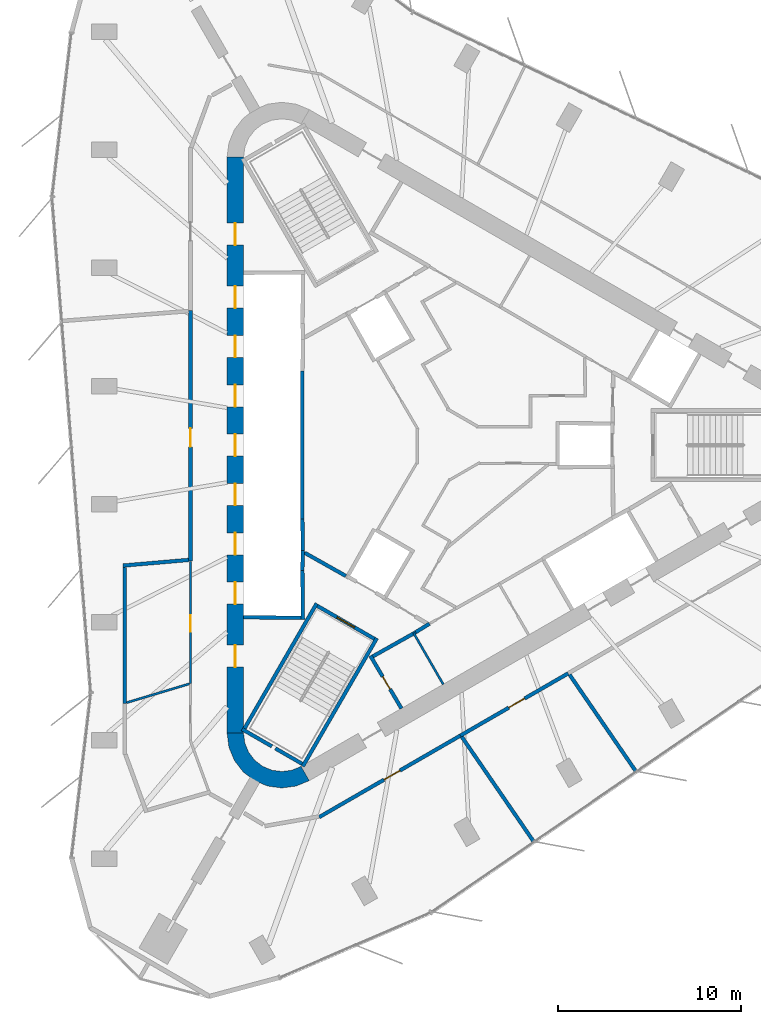
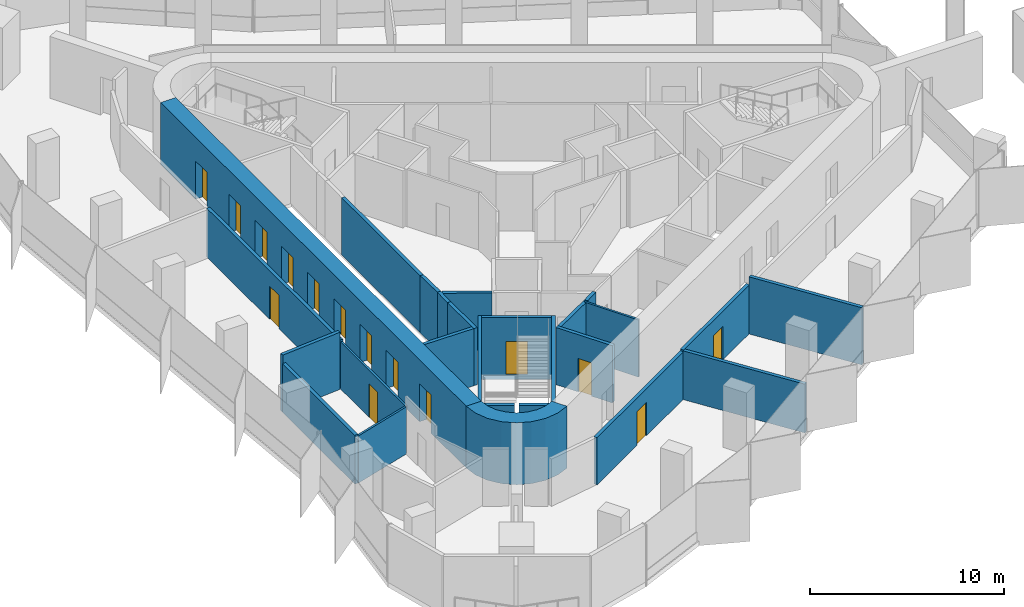
# One storey, part 7 of 12: 26 walls, 15 doors, 15 openings.
"""IFC4 building model written with IfcOpenShell, lengths in metres."""

from ifc_helpers import new_model, si_unit, direction, frame, frame_2d, origin, place, context, subcontext, project, spatial, polyline, rectangle, outline, extrude, material, layer, layer_set, type_object, element, fill, save


model = new_model("IFC4")

# Units and contexts
model_context = context("Model", 3, precision=1e-05, world=origin(), true_north=direction((0.0, 1.0)))
body_context = subcontext(model_context, "Body", "Model", "MODEL_VIEW")
ifc_project = project(units=[si_unit("LENGTHUNIT", "METRE"), si_unit("AREAUNIT", "SQUARE_METRE"), si_unit("VOLUMEUNIT", "CUBIC_METRE"), si_unit("PLANEANGLEUNIT", "RADIAN"), si_unit("MASSUNIT", "GRAM", prefix="KILO")], contexts=[model_context])

# Site, building, storey
site_placement = place(None, origin())
site = spatial("IfcSite", under=ifc_project, at=site_placement, CompositionType="ELEMENT")
building_placement = place(site_placement, origin())
building = spatial("IfcBuilding", under=site, at=building_placement, Name="Tanit Gate Tower", CompositionType="ELEMENT")
storey_placement = place(building_placement, frame((0.0, 0.0, 380.60009765625)))
storey = spatial("IfcBuildingStorey", under=building, at=storey_placement, Name="L87", CompositionType="ELEMENT", Elevation=380.60009765625)

# Wall, openings, doors
ifc_material_1 = material(Name="Concrete C40/50", Category="concrete")
ifc_layer_1 = layer(ifc_material_1, 0.89990234375)
ifc_layer_set_1 = layer_set([ifc_layer_1], Name="CORE WALL 900 C40/50")
wall_type_1 = type_object("IfcWallType", Name="CORE WALL 900 C40/50", PredefinedType="SHEAR", material=ifc_layer_set_1)
wall_1_placement = place(storey_placement, frame((-11.64990234375, 15.76171875, 0.0), z_axis=(0.0, 0.0, 1.0), x_axis=(0.0, -1.0, 0.0)))
wall_1 = element("IfcWall", 1, at=wall_1_placement, inside=storey, type_object=wall_type_1, Name="CORE WALL", PredefinedType="SHEAR", context=body_context, shape_type="SweptSolid", body=[
    extrude(rectangle(XDim=31.5234375, YDim=0.89990234375, at=frame_2d((15.76171875, 0.0))), origin(), (0.0, 0.0, 1.0), 3.89990234375),
])
opening_1_placement = place(wall_1_placement, frame((7.061767578125, 0.0, 0.0)))
opening_1 = element("IfcOpeningElement", 2, at=opening_1_placement, cuts=wall_1, Name="Opening LDHL1-87", PredefinedType="OPENING", context=body_context, shape_type="SweptSolid", body=[
    extrude(rectangle(XDim=1.199951171875, YDim=2.39990234375, at=frame_2d((0.60009765625, 1.199951171875))), frame((0.0, 0.4599609375, 0.0), z_axis=(0.0, -1.0, 0.0), x_axis=(1.0, 0.0, 0.0)), (0.0, 0.0, 1.0), 0.919921875),
])
opening_2_placement = place(wall_1_placement, frame((9.76171875, 0.0, 0.0)))
opening_2 = element("IfcOpeningElement", 3, at=opening_2_placement, cuts=wall_1, Name="Opening LDHL2-87", PredefinedType="OPENING", context=body_context, shape_type="SweptSolid", body=[
    extrude(rectangle(XDim=1.199951171875, YDim=2.39990234375, at=frame_2d((0.60009765625, 1.199951171875))), frame((0.0, 0.4599609375, 0.0), z_axis=(0.0, -1.0, 0.0), x_axis=(1.0, 0.0, 0.0)), (0.0, 0.0, 1.0), 0.919921875),
])
opening_3_placement = place(wall_1_placement, frame((12.461669921875, 0.0, 0.0)))
opening_3 = element("IfcOpeningElement", 4, at=opening_3_placement, cuts=wall_1, Name="Opening LDHL3-87", PredefinedType="OPENING", context=body_context, shape_type="SweptSolid", body=[
    extrude(rectangle(XDim=1.199951171875, YDim=2.39990234375, at=frame_2d((0.60009765625, 1.199951171875))), frame((0.0, 0.4599609375, 0.0), z_axis=(0.0, -1.0, 0.0), x_axis=(1.0, 0.0, 0.0)), (0.0, 0.0, 1.0), 0.919921875),
])
opening_4_placement = place(wall_1_placement, frame((15.16162109375, 0.0, 0.0)))
opening_4 = element("IfcOpeningElement", 5, at=opening_4_placement, cuts=wall_1, Name="Opening LDHL4-87", PredefinedType="OPENING", context=body_context, shape_type="SweptSolid", body=[
    extrude(rectangle(XDim=1.199951171875, YDim=2.39990234375, at=frame_2d((0.60009765625, 1.199951171875))), frame((0.0, 0.4599609375, 0.0), z_axis=(0.0, -1.0, 0.0), x_axis=(1.0, 0.0, 0.0)), (0.0, 0.0, 1.0), 0.919921875),
])
opening_5_placement = place(wall_1_placement, frame((17.86181640625, 0.0, 0.0)))
opening_5 = element("IfcOpeningElement", 6, at=opening_5_placement, cuts=wall_1, Name="Opening LDHL5-87", PredefinedType="OPENING", context=body_context, shape_type="SweptSolid", body=[
    extrude(rectangle(XDim=1.199951171875, YDim=2.39990234375, at=frame_2d((0.60009765625, 1.199951171875))), frame((0.0, 0.4599609375, 0.0), z_axis=(0.0, -1.0, 0.0), x_axis=(1.0, 0.0, 0.0)), (0.0, 0.0, 1.0), 0.919921875),
])
opening_6_placement = place(wall_1_placement, frame((20.561767578125, 0.0, 0.0)))
opening_6 = element("IfcOpeningElement", 7, at=opening_6_placement, cuts=wall_1, Name="Opening LDHL6-87", PredefinedType="OPENING", context=body_context, shape_type="SweptSolid", body=[
    extrude(rectangle(XDim=1.199951171875, YDim=2.39990234375, at=frame_2d((0.60009765625, 1.199951171875))), frame((0.0, 0.4599609375, 0.0), z_axis=(0.0, -1.0, 0.0), x_axis=(1.0, 0.0, 0.0)), (0.0, 0.0, 1.0), 0.919921875),
])
opening_7_placement = place(wall_1_placement, frame((23.26171875, 0.0, 0.0)))
opening_7 = element("IfcOpeningElement", 8, at=opening_7_placement, cuts=wall_1, Name="Opening LDHL7-87", PredefinedType="OPENING", context=body_context, shape_type="SweptSolid", body=[
    extrude(rectangle(XDim=1.199951171875, YDim=2.39990234375, at=frame_2d((0.60009765625, 1.199951171875))), frame((0.0, 0.4599609375, 0.0), z_axis=(0.0, -1.0, 0.0), x_axis=(1.0, 0.0, 0.0)), (0.0, 0.0, 1.0), 0.919921875),
])
opening_8_placement = place(wall_1_placement, frame((3.61181640625, 0.0, 0.0)))
opening_8 = element("IfcOpeningElement", 9, at=opening_8_placement, cuts=wall_1, Name="Opening F12-87-FL2", PredefinedType="OPENING", context=body_context, shape_type="SweptSolid", body=[
    extrude(rectangle(XDim=1.199951171875, YDim=2.39990234375, at=frame_2d((0.60009765625, 1.199951171875))), frame((0.0, 0.4599609375, 0.0), z_axis=(0.0, -1.0, 0.0), x_axis=(1.0, 0.0, 0.0)), (0.0, 0.0, 1.0), 0.919921875),
])
opening_9_placement = place(wall_1_placement, frame((26.711669921875, 0.0, 0.0)))
opening_9 = element("IfcOpeningElement", 10, at=opening_9_placement, cuts=wall_1, Name="Opening F12-87-S3", PredefinedType="OPENING", context=body_context, shape_type="SweptSolid", body=[
    extrude(rectangle(XDim=1.199951171875, YDim=2.39990234375, at=frame_2d((0.60009765625, 1.199951171875))), frame((0.0, 0.4599609375, 0.0), z_axis=(0.0, -1.0, 0.0), x_axis=(1.0, 0.0, 0.0)), (0.0, 0.0, 1.0), 0.919921875),
])
ifc_material_2 = material(Name="Fire-rated steel door leaf", Category="steel")
door_type_1 = type_object("IfcDoorType", Name="INT-DOOR-FIRE-LOBBY-1200", OperationType="NOTDEFINED", PredefinedType="USERDEFINED", material=ifc_material_2)
door_1_placement = place(opening_8_placement, origin())
door_1 = element("IfcDoor", 11, at=door_1_placement, inside=storey, type_object=door_type_1, Name="Door F12-87-FL2", ObjectType="FIRE DOOR", OperationType="SINGLE_SWING_RIGHT", OverallHeight=2.39990234375, OverallWidth=1.199951171875, PredefinedType="USERDEFINED", context=body_context, shape_type="SweptSolid", body=[
    extrude(rectangle(XDim=1.199951171875, YDim=2.39990234375, at=frame_2d((0.60009765625, 1.199951171875))), frame((0.0, 0.02490234375, 0.0), z_axis=(0.0, -1.0, 0.0), x_axis=(1.0, 0.0, 0.0)), (0.0, 0.0, 1.0), 0.050048828125),
])
fill(opening_8, door_1)
door_2_placement = place(opening_9_placement, origin())
door_2 = element("IfcDoor", 12, at=door_2_placement, inside=storey, type_object=door_type_1, Name="Door F12-87-S3", ObjectType="FIRE DOOR", OperationType="SINGLE_SWING_LEFT", OverallHeight=2.39990234375, OverallWidth=1.199951171875, PredefinedType="USERDEFINED", context=body_context, shape_type="SweptSolid", body=[
    extrude(rectangle(XDim=1.199951171875, YDim=2.39990234375, at=frame_2d((0.60009765625, 1.199951171875))), frame((0.0, 0.02490234375, 0.0), z_axis=(0.0, -1.0, 0.0), x_axis=(1.0, 0.0, 0.0)), (0.0, 0.0, 1.0), 0.050048828125),
])
fill(opening_9, door_2)
ifc_material_3 = material(Name="Stainless steel sliding door leaf", Category="steel")
door_type_2 = type_object("IfcDoorType", Name="INT-DOOR-LANDING-1200", OperationType="NOTDEFINED", PredefinedType="USERDEFINED", material=ifc_material_3)
door_3_placement = place(opening_1_placement, origin())
door_3 = element("IfcDoor", 13, at=door_3_placement, inside=storey, type_object=door_type_2, Name="Door LDHL1-87", ObjectType="LANDING DOOR", OperationType="SLIDING_TO_LEFT", OverallHeight=2.39990234375, OverallWidth=1.199951171875, PredefinedType="USERDEFINED", context=body_context, shape_type="SweptSolid", body=[
    extrude(rectangle(XDim=1.199951171875, YDim=2.39990234375, at=frame_2d((0.60009765625, 1.199951171875))), frame((0.0, 0.02490234375, 0.0), z_axis=(0.0, -1.0, 0.0), x_axis=(1.0, 0.0, 0.0)), (0.0, 0.0, 1.0), 0.050048828125),
])
fill(opening_1, door_3)
door_4_placement = place(opening_2_placement, origin())
door_4 = element("IfcDoor", 14, at=door_4_placement, inside=storey, type_object=door_type_2, Name="Door LDHL2-87", ObjectType="LANDING DOOR", OperationType="SLIDING_TO_LEFT", OverallHeight=2.39990234375, OverallWidth=1.199951171875, PredefinedType="USERDEFINED", context=body_context, shape_type="SweptSolid", body=[
    extrude(rectangle(XDim=1.199951171875, YDim=2.39990234375, at=frame_2d((0.60009765625, 1.199951171875))), frame((0.0, 0.02490234375, 0.0), z_axis=(0.0, -1.0, 0.0), x_axis=(1.0, 0.0, 0.0)), (0.0, 0.0, 1.0), 0.050048828125),
])
fill(opening_2, door_4)
door_5_placement = place(opening_3_placement, origin())
door_5 = element("IfcDoor", 15, at=door_5_placement, inside=storey, type_object=door_type_2, Name="Door LDHL3-87", ObjectType="LANDING DOOR", OperationType="SLIDING_TO_LEFT", OverallHeight=2.39990234375, OverallWidth=1.199951171875, PredefinedType="USERDEFINED", context=body_context, shape_type="SweptSolid", body=[
    extrude(rectangle(XDim=1.199951171875, YDim=2.39990234375, at=frame_2d((0.60009765625, 1.199951171875))), frame((0.0, 0.02490234375, 0.0), z_axis=(0.0, -1.0, 0.0), x_axis=(1.0, 0.0, 0.0)), (0.0, 0.0, 1.0), 0.050048828125),
])
fill(opening_3, door_5)
door_6_placement = place(opening_4_placement, origin())
door_6 = element("IfcDoor", 16, at=door_6_placement, inside=storey, type_object=door_type_2, Name="Door LDHL4-87", ObjectType="LANDING DOOR", OperationType="SLIDING_TO_LEFT", OverallHeight=2.39990234375, OverallWidth=1.199951171875, PredefinedType="USERDEFINED", context=body_context, shape_type="SweptSolid", body=[
    extrude(rectangle(XDim=1.199951171875, YDim=2.39990234375, at=frame_2d((0.60009765625, 1.199951171875))), frame((0.0, 0.02490234375, 0.0), z_axis=(0.0, -1.0, 0.0), x_axis=(1.0, 0.0, 0.0)), (0.0, 0.0, 1.0), 0.050048828125),
])
fill(opening_4, door_6)
door_7_placement = place(opening_5_placement, origin())
door_7 = element("IfcDoor", 17, at=door_7_placement, inside=storey, type_object=door_type_2, Name="Door LDHL5-87", ObjectType="LANDING DOOR", OperationType="SLIDING_TO_LEFT", OverallHeight=2.39990234375, OverallWidth=1.199951171875, PredefinedType="USERDEFINED", context=body_context, shape_type="SweptSolid", body=[
    extrude(rectangle(XDim=1.199951171875, YDim=2.39990234375, at=frame_2d((0.60009765625, 1.199951171875))), frame((0.0, 0.02490234375, 0.0), z_axis=(0.0, -1.0, 0.0), x_axis=(1.0, 0.0, 0.0)), (0.0, 0.0, 1.0), 0.050048828125),
])
fill(opening_5, door_7)
door_8_placement = place(opening_6_placement, origin())
door_8 = element("IfcDoor", 18, at=door_8_placement, inside=storey, type_object=door_type_2, Name="Door LDHL6-87", ObjectType="LANDING DOOR", OperationType="SLIDING_TO_LEFT", OverallHeight=2.39990234375, OverallWidth=1.199951171875, PredefinedType="USERDEFINED", context=body_context, shape_type="SweptSolid", body=[
    extrude(rectangle(XDim=1.199951171875, YDim=2.39990234375, at=frame_2d((0.60009765625, 1.199951171875))), frame((0.0, 0.02490234375, 0.0), z_axis=(0.0, -1.0, 0.0), x_axis=(1.0, 0.0, 0.0)), (0.0, 0.0, 1.0), 0.050048828125),
])
fill(opening_6, door_8)
door_9_placement = place(opening_7_placement, origin())
door_9 = element("IfcDoor", 19, at=door_9_placement, inside=storey, type_object=door_type_2, Name="Door LDHL7-87", ObjectType="LANDING DOOR", OperationType="SLIDING_TO_LEFT", OverallHeight=2.39990234375, OverallWidth=1.199951171875, PredefinedType="USERDEFINED", context=body_context, shape_type="SweptSolid", body=[
    extrude(rectangle(XDim=1.199951171875, YDim=2.39990234375, at=frame_2d((0.60009765625, 1.199951171875))), frame((0.0, 0.02490234375, 0.0), z_axis=(0.0, -1.0, 0.0), x_axis=(1.0, 0.0, 0.0)), (0.0, 0.0, 1.0), 0.050048828125),
])
fill(opening_7, door_9)

# Wall
wall_2_placement = place(storey_placement, origin())
element("IfcWall", 20, at=wall_2_placement, inside=storey, type_object=wall_type_1, Name="CORE WALL CORNER", PredefinedType="SHEAR", context=body_context, shape_type="SweptSolid", body=[
    extrude(outline(polyline([(-12.10009765625, -15.76171875), (-11.997802734375, -16.5380859375), (-11.697998046875, -17.26171875), (-11.22119140625, -17.883056640625), (-10.60009765625, -18.359619140625), (-9.87646484375, -18.659423828125), (-9.10009765625, -18.76171875), (-8.323486328125, -18.659423828125), (-7.60009765625, -18.359619140625), (-8.050048828125, -17.580322265625), (-8.556396484375, -17.7900390625), (-9.10009765625, -17.86181640625), (-9.6435546875, -17.7900390625), (-10.14990234375, -17.580322265625), (-10.5849609375, -17.24658203125), (-10.918701171875, -16.811767578125), (-11.12841796875, -16.30517578125), (-11.199951171875, -15.76171875), (-12.10009765625, -15.76171875)])), origin(), (0.0, 0.0, 1.0), 3.89990234375),
])

# Wall, opening, door
ifc_material_4 = material(Name="Fire-rated gypsum board partition")
ifc_layer_2 = layer(ifc_material_4, 0.199951171875)
ifc_layer_set_2 = layer_set([ifc_layer_2], Name="INT-WALL-COMPARTMENT")
wall_type_2 = type_object("IfcWallType", Name="INT-WALL-COMPARTMENT", PredefinedType="PARTITIONING", material=ifc_layer_set_2)
wall_3_placement = place(storey_placement, frame((-4.259765625, -11.523681640625, 0.0), z_axis=(0.0, 0.0, 1.0), x_axis=(0.507997497166, -0.861358544901, 0.0)))
wall_3 = element("IfcWall", 21, at=wall_3_placement, inside=storey, type_object=wall_type_2, Name="Wall Compartment W056", PredefinedType="PARTITIONING", context=body_context, shape_type="SweptSolid", body=[
    extrude(rectangle(XDim=3.350341796875, YDim=0.199951171875, at=frame_2d((1.67529296875, 0.0))), origin(), (0.0, 0.0, 1.0), 3.599853515625),
])
opening_10_placement = place(wall_3_placement, frame((1.3251953125, 0.0, 0.0)))
opening_10 = element("IfcOpeningElement", 22, at=opening_10_placement, cuts=wall_3, Name="Opening R08-87-16", PredefinedType="OPENING", context=body_context, shape_type="SweptSolid", body=[
    extrude(rectangle(XDim=0.800048828125, YDim=2.10009765625, at=frame_2d((0.39990234375, 1.050048828125))), frame((0.0, 0.10986328125, 0.0), z_axis=(0.0, -1.0, 0.0), x_axis=(1.0, 0.0, 0.0)), (0.0, 0.0, 1.0), 0.219970703125),
])
ifc_material_5 = material(Name="Timber door leaf", Category="wood")
door_type_3 = type_object("IfcDoorType", Name="INT-DOOR-RISER-800", OperationType="NOTDEFINED", PredefinedType="USERDEFINED", material=ifc_material_5)
door_10_placement = place(opening_10_placement, origin())
door_10 = element("IfcDoor", 23, at=door_10_placement, inside=storey, type_object=door_type_3, Name="Door R08-87-16", ObjectType="FIRE DOOR", OperationType="SINGLE_SWING_LEFT", OverallHeight=2.10009765625, OverallWidth=0.800048828125, PredefinedType="USERDEFINED", context=body_context, shape_type="SweptSolid", body=[
    extrude(rectangle(XDim=0.800048828125, YDim=2.10009765625, at=frame_2d((0.39990234375, 1.050048828125))), frame((0.0, 0.02490234375, 0.0), z_axis=(0.0, -1.0, 0.0), x_axis=(1.0, 0.0, 0.0)), (0.0, 0.0, 1.0), 0.050048828125),
])
fill(opening_10, door_10)

# Walls
wall_4_placement = place(storey_placement, frame((-1.7685546875, -10.23681640625, 0.0), z_axis=(0.0, 0.0, 1.0), x_axis=(-0.871534483978, -0.490334215854, 0.0)))
element("IfcWall", 24, at=wall_4_placement, inside=storey, type_object=wall_type_2, Name="Wall Compartment W057", PredefinedType="PARTITIONING", context=body_context, shape_type="SweptSolid", body=[
    extrude(rectangle(XDim=2.7001953125, YDim=0.199951171875, at=frame_2d((1.35009765625, 0.0))), origin(), (0.0, 0.0, 1.0), 3.599853515625),
])
wall_5_placement = place(storey_placement, frame((-1.02392578125, -9.77099609375, 0.0), z_axis=(0.0, 0.0, 1.0), x_axis=(-0.850348075135, -0.526220629693, 0.0)))
element("IfcWall", 25, at=wall_5_placement, inside=storey, type_object=wall_type_2, Name="Wall Compartment W059", PredefinedType="PARTITIONING", context=body_context, shape_type="SweptSolid", body=[
    extrude(rectangle(XDim=0.878173828125, YDim=0.199951171875, at=frame_2d((0.43896484375, 0.0))), origin(), (0.0, 0.0, 1.0), 3.599853515625),
])
wall_6_placement = place(storey_placement, frame((-7.84912109375, -5.893798828125, 0.0), z_axis=(0.0, 0.0, 1.0), x_axis=(0.871340486379, -0.490678873396, 0.0)))
element("IfcWall", 26, at=wall_6_placement, inside=storey, type_object=wall_type_2, Name="Wall Compartment W069", PredefinedType="PARTITIONING", context=body_context, shape_type="SweptSolid", body=[
    extrude(rectangle(XDim=2.580810546875, YDim=0.199951171875, at=frame_2d((1.29052734375, 0.0))), origin(), (0.0, 0.0, 1.0), 3.599853515625),
])

# Wall, opening, door
wall_7_placement = place(storey_placement, frame((-14.10009765625, 7.36865234375, 0.0), z_axis=(0.0, 0.0, 1.0), x_axis=(0.0, -1.0, 0.0)))
wall_7 = element("IfcWall", 27, at=wall_7_placement, inside=storey, type_object=wall_type_2, Name="Wall Compartment W095", PredefinedType="PARTITIONING", context=body_context, shape_type="SweptSolid", body=[
    extrude(rectangle(XDim=13.700927734375, YDim=0.199951171875, at=frame_2d((6.8505859375, 0.0))), origin(), (0.0, 0.0, 1.0), 3.06982421875),
])
opening_11_placement = place(wall_7_placement, frame((6.456298828125, 0.0, 0.0)))
opening_11 = element("IfcOpeningElement", 28, at=opening_11_placement, cuts=wall_7, Name="Opening F10-87-21", PredefinedType="OPENING", context=body_context, shape_type="SweptSolid", body=[
    extrude(rectangle(XDim=1.0, YDim=2.10009765625, at=frame_2d((0.5, 1.050048828125))), frame((0.0, 0.10986328125, 0.0), z_axis=(0.0, -1.0, 0.0), x_axis=(1.0, 0.0, 0.0)), (0.0, 0.0, 1.0), 0.219970703125),
])
ifc_material_6 = material(Name="Fire-rated steel door leaf", Category="steel")
door_type_4 = type_object("IfcDoorType", Name="INT-DOOR-FIRE-1000", OperationType="NOTDEFINED", PredefinedType="USERDEFINED", material=ifc_material_6)
door_11_placement = place(opening_11_placement, origin())
door_11 = element("IfcDoor", 29, at=door_11_placement, inside=storey, type_object=door_type_4, Name="Door F10-87-21", ObjectType="FIRE DOOR", OperationType="SINGLE_SWING_LEFT", OverallHeight=2.10009765625, OverallWidth=1.0, PredefinedType="USERDEFINED", context=body_context, shape_type="SweptSolid", body=[
    extrude(rectangle(XDim=1.0, YDim=2.10009765625, at=frame_2d((0.5, 1.050048828125))), frame((0.0, 0.02490234375, 0.0), z_axis=(0.0, -1.0, 0.0), x_axis=(1.0, 0.0, 0.0)), (0.0, 0.0, 1.0), 0.050048828125),
])
fill(opening_11, door_11)

# Walls
wall_8_placement = place(storey_placement, frame((-14.199951171875, -6.28076171875, 0.0), z_axis=(0.0, 0.0, 1.0), x_axis=(-0.996288464518, -0.086077264523, 0.0)))
element("IfcWall", 30, at=wall_8_placement, inside=storey, type_object=wall_type_2, Name="Wall Compartment W101", PredefinedType="PARTITIONING", context=body_context, shape_type="SweptSolid", body=[
    extrude(rectangle(XDim=3.60498046875, YDim=0.199951171875, at=frame_2d((1.802490234375, 0.0))), origin(), (0.0, 0.0, 1.0), 3.599853515625),
])
wall_9_placement = place(storey_placement, frame((-17.699951171875, -14.137451171875, 0.0), z_axis=(0.0, 0.0, 1.0), x_axis=(0.0, 1.0, 0.0)))
element("IfcWall", 31, at=wall_9_placement, inside=storey, type_object=wall_type_2, Name="Wall Compartment W102", PredefinedType="PARTITIONING", context=body_context, shape_type="SweptSolid", body=[
    extrude(rectangle(XDim=7.453857421875, YDim=0.199951171875, at=frame_2d((3.72705078125, 0.0))), origin(), (0.0, 0.0, 1.0), 3.06982421875),
])

# Wall, opening, door
wall_10_placement = place(storey_placement, frame((-7.060791015625, -20.35791015625, 0.0), z_axis=(0.0, 0.0, 1.0), x_axis=(0.866024332115, 0.500001856182, 0.0)))
wall_10 = element("IfcWall", 32, at=wall_10_placement, inside=storey, type_object=wall_type_2, Name="Wall Compartment W115", PredefinedType="PARTITIONING", context=body_context, shape_type="SweptSolid", body=[
    extrude(rectangle(XDim=8.92529296875, YDim=0.199951171875, at=frame_2d((4.462646484375, 0.0))), origin(), (0.0, 0.0, 1.0), 2.969970703125),
])
opening_12_placement = place(wall_10_placement, frame((4.10009765625, 0.0, 0.0)))
opening_12 = element("IfcOpeningElement", 33, at=opening_12_placement, cuts=wall_10, Name="Opening F10-87-26", PredefinedType="OPENING", context=body_context, shape_type="SweptSolid", body=[
    extrude(rectangle(XDim=1.0, YDim=2.10009765625, at=frame_2d((0.5, 1.050048828125))), frame((0.0, 0.10986328125, 0.0), z_axis=(0.0, -1.0, 0.0), x_axis=(1.0, 0.0, 0.0)), (0.0, 0.0, 1.0), 0.219970703125),
])
door_12_placement = place(opening_12_placement, origin())
door_12 = element("IfcDoor", 34, at=door_12_placement, inside=storey, type_object=door_type_4, Name="Door F10-87-26", ObjectType="FIRE DOOR", OperationType="SINGLE_SWING_RIGHT", OverallHeight=2.10009765625, OverallWidth=1.0, PredefinedType="USERDEFINED", context=body_context, shape_type="SweptSolid", body=[
    extrude(rectangle(XDim=1.0, YDim=2.10009765625, at=frame_2d((0.5, 1.050048828125))), frame((0.0, 0.02490234375, 0.0), z_axis=(0.0, -1.0, 0.0), x_axis=(1.0, 0.0, 0.0)), (0.0, 0.0, 1.0), 0.050048828125),
])
fill(opening_12, door_12)

wall_11_placement = place(storey_placement, frame((0.668701171875, -15.895263671875, 0.0), z_axis=(0.0, 0.0, 1.0), x_axis=(0.866018980909, 0.500011124582, 0.0)))
wall_11 = element("IfcWall", 35, at=wall_11_placement, inside=storey, type_object=wall_type_2, Name="Wall Compartment W118", PredefinedType="PARTITIONING", context=body_context, shape_type="SweptSolid", body=[
    extrude(rectangle(XDim=6.808349609375, YDim=0.199951171875, at=frame_2d((3.404296875, 0.0))), origin(), (0.0, 0.0, 1.0), 3.06982421875),
])
opening_13_placement = place(wall_11_placement, frame((3.056396484375, 0.0, 0.0)))
opening_13 = element("IfcOpeningElement", 36, at=opening_13_placement, cuts=wall_11, Name="Opening F10-87-27", PredefinedType="OPENING", context=body_context, shape_type="SweptSolid", body=[
    extrude(rectangle(XDim=1.0, YDim=2.10009765625, at=frame_2d((0.5, 1.050048828125))), frame((0.0, 0.10986328125, 0.0), z_axis=(0.0, -1.0, 0.0), x_axis=(1.0, 0.0, 0.0)), (0.0, 0.0, 1.0), 0.219970703125),
])
door_13_placement = place(opening_13_placement, origin())
door_13 = element("IfcDoor", 37, at=door_13_placement, inside=storey, type_object=door_type_4, Name="Door F10-87-27", ObjectType="FIRE DOOR", OperationType="SINGLE_SWING_RIGHT", OverallHeight=2.10009765625, OverallWidth=1.0, PredefinedType="USERDEFINED", context=body_context, shape_type="SweptSolid", body=[
    extrude(rectangle(XDim=1.0, YDim=2.10009765625, at=frame_2d((0.5, 1.050048828125))), frame((0.0, 0.02490234375, 0.0), z_axis=(0.0, -1.0, 0.0), x_axis=(1.0, 0.0, 0.0)), (0.0, 0.0, 1.0), 0.050048828125),
])
fill(opening_13, door_13)

# Walls
wall_12_placement = place(storey_placement, frame((4.687744140625, -21.708740234375, 0.0), z_axis=(0.0, 0.0, 1.0), x_axis=(-0.565900898816, 0.824473269864, 0.0)))
element("IfcWall", 38, at=wall_12_placement, inside=storey, type_object=wall_type_2, Name="Wall Compartment W122", PredefinedType="PARTITIONING", context=body_context, shape_type="SweptSolid", body=[
    extrude(rectangle(XDim=6.96533203125, YDim=0.199951171875, at=frame_2d((3.482666015625, 0.0))), origin(), (0.0, 0.0, 1.0), 3.06982421875),
])
wall_13_placement = place(storey_placement, frame((6.642333984375, -12.561767578125, 0.0), z_axis=(0.0, 0.0, 1.0), x_axis=(0.565873344154, -0.82449218212, 0.0)))
element("IfcWall", 39, at=wall_13_placement, inside=storey, type_object=wall_type_2, Name="Wall Compartment W123", PredefinedType="PARTITIONING", context=body_context, shape_type="SweptSolid", body=[
    extrude(rectangle(XDim=6.435302734375, YDim=0.199951171875, at=frame_2d((3.2177734375, 0.0))), origin(), (0.0, 0.0, 1.0), 3.599853515625),
])
ifc_material_7 = material(Name="Gypsum board partition")
ifc_layer_3 = layer(ifc_material_7, 0.1201171875)
ifc_layer_set_3 = layer_set([ifc_layer_3], Name="INT-WALL-PARTITION")
wall_type_3 = type_object("IfcWallType", Name="INT-WALL-PARTITION", PredefinedType="PARTITIONING", material=ifc_layer_set_3)
wall_14_placement = place(storey_placement, frame((-1.896728515625, -10.27490234375, 0.0), z_axis=(0.0, 0.0, 1.0), x_axis=(0.499984717929, -0.866034226713, 0.0)))
element("IfcWall", 40, at=wall_14_placement, inside=storey, type_object=wall_type_3, Name="Wall Partition W055", PredefinedType="PARTITIONING", context=body_context, shape_type="SweptSolid", body=[
    extrude(rectangle(XDim=3.25, YDim=0.1201171875, at=frame_2d((1.625, 0.0))), origin(), (0.0, 0.0, 1.0), 3.599853515625),
])

# Wall, opening, door
wall_15_placement = place(storey_placement, frame((-14.10009765625, -6.37255859375, 0.0), z_axis=(0.0, 0.0, 1.0), x_axis=(0.0, -1.0, 0.0)))
wall_15 = element("IfcWall", 41, at=wall_15_placement, inside=storey, type_object=wall_type_3, Name="Wall Partition W097", PredefinedType="PARTITIONING", context=body_context, shape_type="SweptSolid", body=[
    extrude(rectangle(XDim=6.662353515625, YDim=0.1201171875, at=frame_2d((3.3310546875, 0.0))), origin(), (0.0, 0.0, 1.0), 2.969970703125),
])
opening_14_placement = place(wall_15_placement, frame((2.931884765625, 0.0, 0.0)))
opening_14 = element("IfcOpeningElement", 42, at=opening_14_placement, cuts=wall_15, Name="Opening D09-87-22", PredefinedType="OPENING", context=body_context, shape_type="SweptSolid", body=[
    extrude(rectangle(XDim=0.89990234375, YDim=2.10009765625, at=frame_2d((0.449951171875, 1.050048828125))), frame((0.0, 0.070068359375, 0.0), z_axis=(0.0, -1.0, 0.0), x_axis=(1.0, 0.0, 0.0)), (0.0, 0.0, 1.0), 0.14013671875),
])
ifc_material_8 = material(Name="Timber door leaf", Category="wood")
door_type_5 = type_object("IfcDoorType", Name="INT-DOOR-SINGLE-900", OperationType="NOTDEFINED", PredefinedType="NOTDEFINED", material=ifc_material_8)
door_14_placement = place(opening_14_placement, origin())
door_14 = element("IfcDoor", 43, at=door_14_placement, inside=storey, type_object=door_type_5, Name="Door D09-87-22", OperationType="SINGLE_SWING_RIGHT", OverallHeight=2.10009765625, OverallWidth=0.89990234375, PredefinedType="NOTDEFINED", context=body_context, shape_type="SweptSolid", body=[
    extrude(rectangle(XDim=0.89990234375, YDim=2.10009765625, at=frame_2d((0.449951171875, 1.050048828125))), frame((0.0, 0.02490234375, 0.0), z_axis=(0.0, -1.0, 0.0), x_axis=(1.0, 0.0, 0.0)), (0.0, 0.0, 1.0), 0.050048828125),
])
fill(opening_14, door_14)

# Walls
wall_16_placement = place(storey_placement, frame((-17.60009765625, -14.09326171875, 0.0), z_axis=(0.0, 0.0, 1.0), x_axis=(0.957925393659, 0.287017316871, 0.0)))
element("IfcWall", 44, at=wall_16_placement, inside=storey, type_object=wall_type_3, Name="Wall Partition W108", PredefinedType="PARTITIONING", context=body_context, shape_type="SweptSolid", body=[
    extrude(rectangle(XDim=3.59130859375, YDim=0.1201171875, at=frame_2d((1.795654296875, 0.0))), origin(), (0.0, 0.0, 1.0), 2.969970703125),
])
ifc_material_9 = material(Name="Gypsum shaft wall system")
ifc_layer_4 = layer(ifc_material_9, 0.199951171875)
ifc_layer_set_4 = layer_set([ifc_layer_4], Name="INT-WALL-SHAFT")
wall_type_4 = type_object("IfcWallType", Name="INT-WALL-SHAFT", PredefinedType="PLUMBINGWALL", material=ifc_layer_set_4)
wall_17_placement = place(storey_placement, frame((-7.97998046875, 4.050048828125, 0.0), z_axis=(0.0, 0.0, 1.0), x_axis=(0.0, -1.0, 0.0)))
element("IfcWall", 45, at=wall_17_placement, inside=storey, type_object=wall_type_4, Name="Wall Shaft W005", PredefinedType="PLUMBINGWALL", context=body_context, shape_type="SweptSolid", body=[
    extrude(rectangle(XDim=8.10009765625, YDim=0.199951171875, at=frame_2d((4.050048828125, 0.0))), origin(), (0.0, 0.0, 1.0), 3.599853515625),
])
wall_18_placement = place(storey_placement, frame((-7.949951171875, -5.7724609375, 0.0), z_axis=(0.0, 0.0, 1.0), x_axis=(-0.030803413295, -0.999525462272, 0.0)))
element("IfcWall", 46, at=wall_18_placement, inside=storey, type_object=wall_type_4, Name="Wall Shaft W008", PredefinedType="PLUMBINGWALL", context=body_context, shape_type="SweptSolid", body=[
    extrude(rectangle(XDim=1.077880859375, YDim=0.199951171875, at=frame_2d((0.5390625, 0.0))), origin(), (0.0, 0.0, 1.0), 3.599853515625),
])
wall_19_placement = place(storey_placement, frame((-7.97998046875, -4.050048828125, 0.0), z_axis=(0.0, 0.0, 1.0), x_axis=(0.016809909365, -0.999858703491, 0.0)))
element("IfcWall", 47, at=wall_19_placement, inside=storey, type_object=wall_type_4, Name="Wall Shaft W009", PredefinedType="PLUMBINGWALL", context=body_context, shape_type="SweptSolid", body=[
    extrude(rectangle(XDim=1.844482421875, YDim=0.199951171875, at=frame_2d((0.92236328125, 0.0))), origin(), (0.0, 0.0, 1.0), 3.599853515625),
])
wall_20_placement = place(storey_placement, frame((-7.97900390625, -6.85009765625, 0.0), z_axis=(0.0, 0.0, 1.0), x_axis=(0.011121475088, -0.999938154483, 0.0)))
element("IfcWall", 48, at=wall_20_placement, inside=storey, type_object=wall_type_4, Name="Wall Shaft W010", PredefinedType="PLUMBINGWALL", context=body_context, shape_type="SweptSolid", body=[
    extrude(rectangle(XDim=2.7001953125, YDim=0.199951171875, at=frame_2d((1.35009765625, 0.0))), origin(), (0.0, 0.0, 1.0), 3.599853515625),
])
wall_21_placement = place(storey_placement, frame((-8.050048828125, -9.448974609375, 0.0), z_axis=(0.0, 0.0, 1.0), x_axis=(-0.999957467379, 0.009222983926, 0.0)))
element("IfcWall", 49, at=wall_21_placement, inside=storey, type_object=wall_type_4, Name="Wall Shaft W011", PredefinedType="PLUMBINGWALL", context=body_context, shape_type="SweptSolid", body=[
    extrude(rectangle(XDim=3.150146484375, YDim=0.199951171875, at=frame_2d((1.5751953125, 0.0))), origin(), (0.0, 0.0, 1.0), 3.599853515625),
])
ifc_material_10 = material(Name="Concrete C40/50", Category="concrete")
ifc_layer_5 = layer(ifc_material_10, 0.199951171875)
ifc_layer_set_5 = layer_set([ifc_layer_5], Name="INT-WALL-STAIR")
wall_type_5 = type_object("IfcWallType", Name="INT-WALL-STAIR", PredefinedType="SHEAR", material=ifc_layer_set_5)
wall_22_placement = place(storey_placement, frame((-3.904541015625, -10.56298828125, -0.300048828125), z_axis=(0.0, 0.0, 1.0), x_axis=(-0.500012932018, -0.866017937352, 0.0)))
element("IfcWall", 50, at=wall_22_placement, inside=storey, type_object=wall_type_5, Name="Wall Stair W038", PredefinedType="SHEAR", context=body_context, shape_type="SweptSolid", body=[
    extrude(rectangle(XDim=8.099853515625, YDim=0.199951171875, at=frame_2d((4.0498046875, 0.0))), origin(), (0.0, 0.0, 1.0), 3.89990234375),
])
wall_23_placement = place(storey_placement, frame((-11.281982421875, -15.541015625, -0.300048828125), z_axis=(0.0, 0.0, 1.0), x_axis=(0.866000578957, -0.500042995397, 0.0)))
element("IfcWall", 51, at=wall_23_placement, inside=storey, type_object=wall_type_5, Name="Wall Stair W040", PredefinedType="SHEAR", context=body_context, shape_type="SweptSolid", body=[
    extrude(rectangle(XDim=1.889892578125, YDim=0.199951171875, at=frame_2d((0.94482421875, 0.0))), origin(), (0.0, 0.0, 1.0), 3.89990234375),
])
wall_24_placement = place(storey_placement, frame((-9.454833984375, -16.59619140625, -0.300048828125), z_axis=(0.0, 0.0, 1.0), x_axis=(0.866038843867, -0.499976720371, 0.0)))
element("IfcWall", 52, at=wall_24_placement, inside=storey, type_object=wall_type_5, Name="Wall Stair W039", PredefinedType="SHEAR", context=body_context, shape_type="SweptSolid", body=[
    extrude(rectangle(XDim=1.68994140625, YDim=0.199951171875, at=frame_2d((0.844970703125, 0.0))), origin(), (0.0, 0.0, 1.0), 3.89990234375),
])
wall_25_placement = place(storey_placement, frame((-7.195556640625, -8.662841796875, -0.300048828125), z_axis=(0.0, 0.0, 1.0), x_axis=(-0.499997992926, -0.866026562566, 0.0)))
element("IfcWall", 53, at=wall_25_placement, inside=storey, type_object=wall_type_5, Name="Wall Stair W041", PredefinedType="SHEAR", context=body_context, shape_type="SweptSolid", body=[
    extrude(rectangle(XDim=7.89990234375, YDim=0.199951171875, at=frame_2d((3.949951171875, 0.0))), origin(), (0.0, 0.0, 1.0), 3.89990234375),
])

# Wall, opening, door
wall_26_placement = place(storey_placement, frame((-4.041259765625, -10.599365234375, -0.300048828125), z_axis=(0.0, 0.0, 1.0), x_axis=(-0.866047807691, 0.499961193289, 0.0)))
wall_26 = element("IfcWall", 54, at=wall_26_placement, inside=storey, type_object=wall_type_5, Name="Wall Stair W042", PredefinedType="SHEAR", context=body_context, shape_type="SweptSolid", body=[
    extrude(rectangle(XDim=3.599853515625, YDim=0.199951171875, at=frame_2d((1.7998046875, 0.0))), origin(), (0.0, 0.0, 1.0), 3.89990234375),
])
opening_15_placement = place(wall_26_placement, frame((1.25, 0.0, 0.300048828125)))
opening_15 = element("IfcOpeningElement", 55, at=opening_15_placement, cuts=wall_26, Name="Opening S11-87-07", PredefinedType="OPENING", context=body_context, shape_type="SweptSolid", body=[
    extrude(rectangle(XDim=1.10009765625, YDim=2.10009765625, at=frame_2d((0.550048828125, 1.050048828125))), frame((0.0, 0.10986328125, 0.0), z_axis=(0.0, -1.0, 0.0), x_axis=(1.0, 0.0, 0.0)), (0.0, 0.0, 1.0), 0.219970703125),
])
ifc_material_11 = material(Name="Timber door leaf", Category="wood")
door_type_6 = type_object("IfcDoorType", Name="INT-DOOR-STAIR-1100", OperationType="NOTDEFINED", PredefinedType="USERDEFINED", material=ifc_material_11)
door_15_placement = place(opening_15_placement, origin())
door_15 = element("IfcDoor", 56, at=door_15_placement, inside=storey, type_object=door_type_6, Name="Door S11-87-07", ObjectType="FIRE DOOR", OperationType="SINGLE_SWING_RIGHT", OverallHeight=2.10009765625, OverallWidth=1.10009765625, PredefinedType="USERDEFINED", context=body_context, shape_type="SweptSolid", body=[
    extrude(rectangle(XDim=1.10009765625, YDim=2.10009765625, at=frame_2d((0.550048828125, 1.050048828125))), frame((0.0, 0.02490234375, 0.0), z_axis=(0.0, -1.0, 0.0), x_axis=(1.0, 0.0, 0.0)), (0.0, 0.0, 1.0), 0.050048828125),
])
fill(opening_15, door_15)

save(model, "model.ifc")
